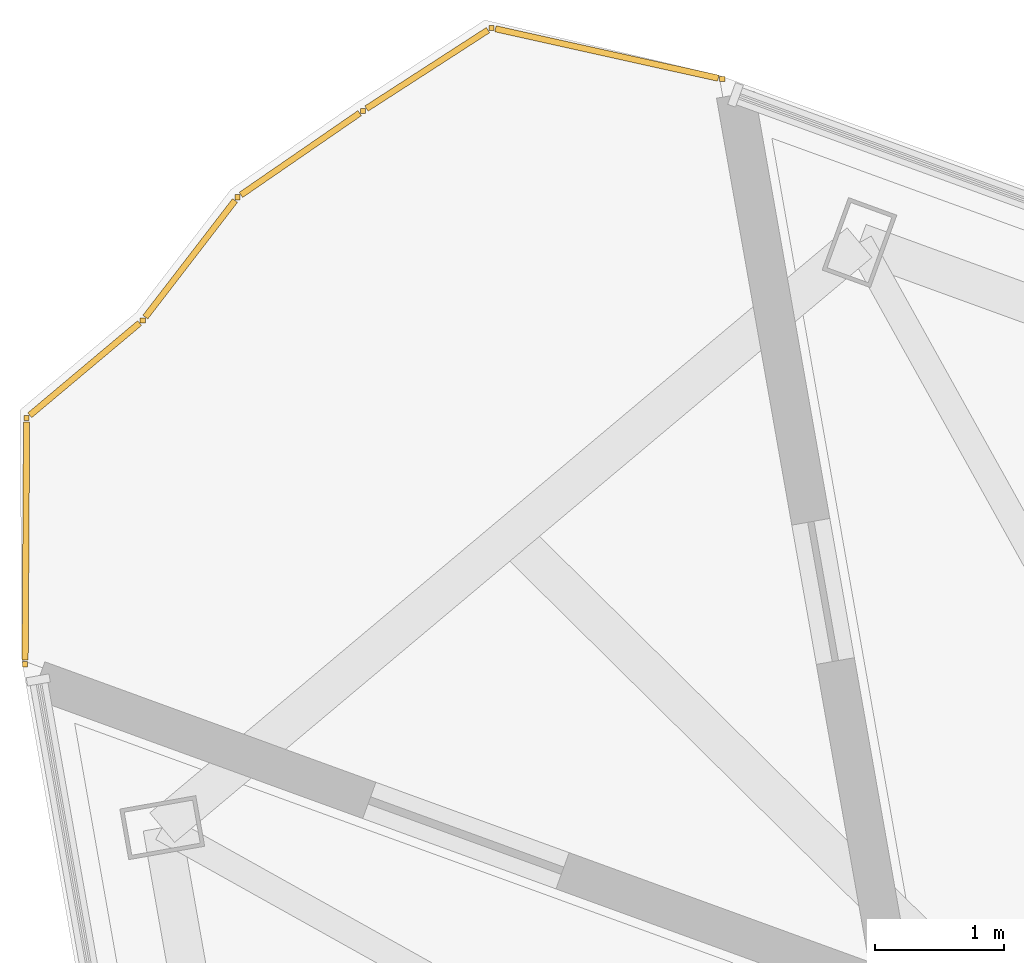
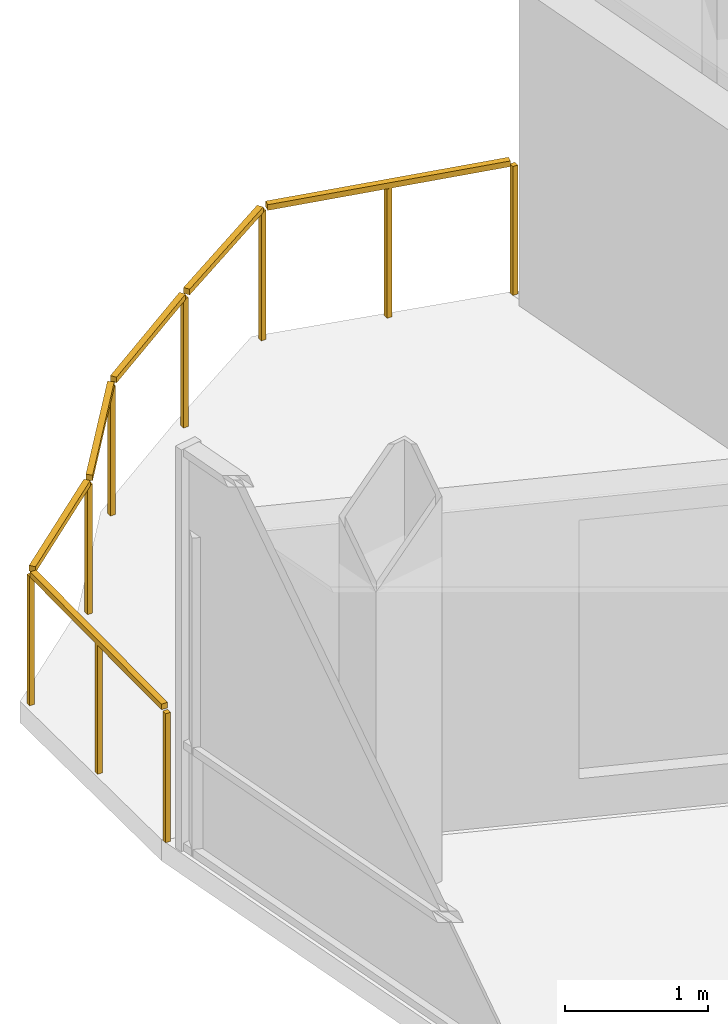
# One storey, part 17 of 17: 1 railing.
"""IFC4 building model written with IfcOpenShell, lengths in metres."""

from ifc_helpers import new_model, si_unit, direction, frame, origin, origin_2d, place, context, subcontext, project, spatial, rectangle, extrude, material, type_object, element, save


model = new_model("IFC4")

# Units and contexts
model_context = context("Model", 3, precision=1e-05, world=origin(), true_north=direction((0.0, 1.0)))
body_context = subcontext(model_context, "Body", "Model", "MODEL_VIEW")
ifc_project = project(units=[si_unit("LENGTHUNIT", "METRE"), si_unit("AREAUNIT", "SQUARE_METRE"), si_unit("VOLUMEUNIT", "CUBIC_METRE"), si_unit("PLANEANGLEUNIT", "RADIAN"), si_unit("MASSUNIT", "GRAM", prefix="KILO")], contexts=[model_context])

# Site, building, storey
site_placement = place(None, origin())
site = spatial("IfcSite", under=ifc_project, at=site_placement, CompositionType="ELEMENT")
building_placement = place(site_placement, origin())
building = spatial("IfcBuilding", under=site, at=building_placement, Name="Tharavind Bronze Gate", CompositionType="ELEMENT")
storey_placement = place(building_placement, frame((0.0, 0.0, 184.89990234375)))
storey = spatial("IfcBuildingStorey", under=building, at=storey_placement, Name="L47", CompositionType="ELEMENT", Elevation=184.89990234375)

# Railing
ifc_material = material(Name="Bronze Cap & Laminated Glass", Category="glass")
railing_type = type_object("IfcRailingType", Name="TERRACE GLASS GUARD RAILING 1150", PredefinedType="GUARDRAIL", material=ifc_material)
railing_placement = place(storey_placement, frame((-21.49951171875, 15.31494140625, 0.0)))
element("IfcRailing", 1, at=railing_placement, inside=storey, type_object=railing_type, Name="L47 tree balcony guard railing", PredefinedType="GUARDRAIL", context=body_context, shape_type="SweptSolid", body=[
    extrude(rectangle(XDim=0.048095703125, YDim=0.048095703125, at=origin_2d()), frame((0.000244140625, 0.031982421875, 1.1259765625), z_axis=(0.006244302881, 0.999980504151, 0.0), x_axis=(-0.999980504151, 0.006244302881, 0.0)), (0.0, 0.0, 1.0), 1.851806640625),
    extrude(rectangle(XDim=0.048095703125, YDim=0.048095703125, at=origin_2d()), frame((0.036376953125, 1.936279296875, 1.1259765625), z_axis=(0.765977892633, 0.642866913131, 0.0), x_axis=(-0.642866913131, 0.765977892633, 0.0)), (0.0, 0.0, 1.0), 1.115966796875),
    extrude(rectangle(XDim=0.048095703125, YDim=0.048095703125, at=origin_2d()), frame((0.935302734375, 2.69970703125, 1.1259765625), z_axis=(0.609749815727, 0.79259394536, 0.0), x_axis=(-0.79259394536, 0.609749815727, 0.0)), (0.0, 0.0, 1.0), 1.144287109375),
    extrude(rectangle(XDim=0.048095703125, YDim=0.048095703125, at=origin_2d()), frame((1.678955078125, 3.650146484375, 1.1259765625), z_axis=(0.823524708497, 0.567280402001, 0.0), x_axis=(-0.567280402001, 0.823524708497, 0.0)), (0.0, 0.0, 1.0), 1.121337890625),
    extrude(rectangle(XDim=0.048095703125, YDim=0.048095703125, at=origin_2d()), frame((2.655517578125, 4.32177734375, 1.1259765625), z_axis=(0.840015987987, 0.5425616462, 0.0), x_axis=(-0.5425616462, 0.840015987987, 0.0)), (0.0, 0.0, 1.0), 1.125244140625),
    extrude(rectangle(XDim=0.048095703125, YDim=0.048095703125, at=origin_2d()), frame((3.658935546875, 4.94287109375, 1.1259765625), z_axis=(0.976205791901, -0.216846147902, 0.0), x_axis=(0.216846147902, 0.976205791901, 0.0)), (0.0, 0.0, 1.0), 1.775634765625),
    extrude(rectangle(XDim=0.0400390625, YDim=0.0400390625, at=origin_2d()), origin(), (0.0, 0.0, 1.0), 1.097900390625),
    extrude(rectangle(XDim=0.0400390625, YDim=0.0400390625, at=origin_2d()), frame((0.005859375, 0.9580078125, 0.0)), (0.0, 0.0, 1.0), 1.097900390625),
    extrude(rectangle(XDim=0.0400390625, YDim=0.0400390625, at=origin_2d()), frame((0.011962890625, 1.915771484375, 0.0)), (0.0, 0.0, 1.0), 1.097900390625),
    extrude(rectangle(XDim=0.0400390625, YDim=0.0400390625, at=origin_2d()), frame((0.915771484375, 2.67431640625, 0.0)), (0.0, 0.0, 1.0), 1.097900390625),
    extrude(rectangle(XDim=0.0400390625, YDim=0.0400390625, at=origin_2d()), frame((1.652587890625, 3.632080078125, 0.0)), (0.0, 0.0, 1.0), 1.097900390625),
    extrude(rectangle(XDim=0.0400390625, YDim=0.0400390625, at=origin_2d()), frame((2.628662109375, 4.304443359375, 0.0)), (0.0, 0.0, 1.0), 1.097900390625),
    extrude(rectangle(XDim=0.0400390625, YDim=0.0400390625, at=origin_2d()), frame((3.627685546875, 4.94970703125, 0.0)), (0.0, 0.0, 1.0), 1.097900390625),
    extrude(rectangle(XDim=0.0400390625, YDim=0.0400390625, at=origin_2d()), frame((4.525634765625, 4.750244140625, 0.0)), (0.0, 0.0, 1.0), 1.097900390625),
    extrude(rectangle(XDim=0.0400390625, YDim=0.0400390625, at=origin_2d()), frame((5.423583984375, 4.55078125, 0.0)), (0.0, 0.0, 1.0), 1.097900390625),
])

save(model, "model.ifc")
